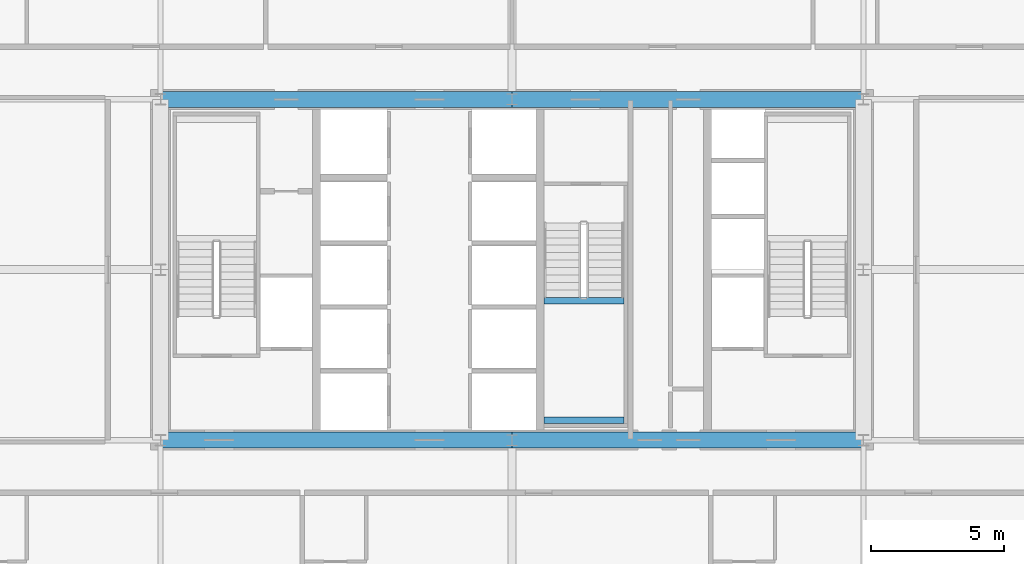
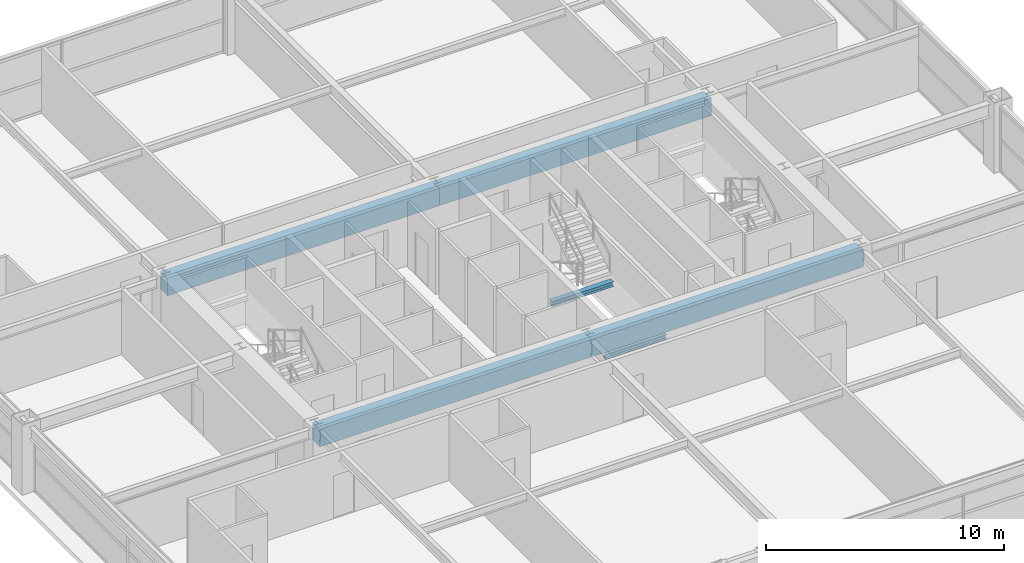
# One storey, part 13 of 43: 6 beams.
"""IFC4 building model written with IfcOpenShell, lengths in metres."""

from ifc_helpers import new_model, si_unit, direction, frame, origin, origin_2d, place, context, subcontext, project, spatial, rectangle, i_section, extrude, source, transform, mapped, material, material_profile, profile_set, type_object, element, save


model = new_model("IFC4")

# Units and contexts
model_context = context("Model", 3, precision=1e-05, world=origin(), true_north=direction((0.0, 1.0)))
body_context = subcontext(model_context, "Body", "Model", "MODEL_VIEW")
ifc_project = project(units=[si_unit("LENGTHUNIT", "METRE"), si_unit("AREAUNIT", "SQUARE_METRE"), si_unit("VOLUMEUNIT", "CUBIC_METRE"), si_unit("PLANEANGLEUNIT", "RADIAN"), si_unit("MASSUNIT", "GRAM", prefix="KILO"), si_unit("THERMODYNAMICTEMPERATUREUNIT", "KELVIN"), si_unit("POWERUNIT", "WATT")], contexts=[model_context])

# Site, building, storey
site_placement = place(None, origin())
site = spatial("IfcSite", under=ifc_project, at=site_placement, CompositionType="ELEMENT")
building_placement = place(site_placement, origin())
building = spatial("IfcBuilding", under=site, at=building_placement, Name="Yuzanri Waterfront Tower", CompositionType="ELEMENT")
storey_placement = place(building_placement, frame((0.0, 0.0, 108.199951171875)))
storey = spatial("IfcBuildingStorey", under=building, at=storey_placement, Name="L28", CompositionType="ELEMENT", Elevation=108.199951171875)

# Beams
ifc_material_1 = material(Name="Concrete C60", Category="concrete")
ifc_material_profile_1 = material_profile(ifc_material_1, rectangle(XDim=0.60009765625, YDim=0.89990234375, at=origin_2d()), Name="RC 600x900")
ifc_profile_set_1 = profile_set([ifc_material_profile_1], Name="Concrete C60")
beam_type_1 = type_object("IfcBeamType", Name="Core Coupling Lintel Concrete C60 600x900", PredefinedType="LINTEL", material=ifc_profile_set_1)
shared_shape_1 = source(origin(), body_context, "Body", "SweptSolid", [
    extrude(rectangle(XDim=0.60009765625, YDim=0.89990234375, at=origin_2d()), origin(), (0.0, 0.0, 1.0), 13.199951171875),
])
for number, where, z_axis, x_axis, name in (
    (1, (23.800048828125, 19.39990234375, 2.929931640625), (1.0, 0.0, 0.0), (0.0, 1.0, 0.0), "L28 Core Tie Beam CS1"),
    (2, (37.0, 19.39990234375, 2.929931640625), (1.0, 0.0, 0.0), (0.0, 1.0, 0.0), "L28 Core Tie Beam CS2"),
    (3, (23.800048828125, 32.199951171875, 2.929931640625), (1.0, 0.0, 0.0), (0.0, 1.0, 0.0), "L28 Core Tie Beam CN1"),
    (4, (37.0, 32.199951171875, 2.929931640625), (1.0, 0.0, 0.0), (0.0, 1.0, 0.0), "L28 Core Tie Beam CN2"),
):
    element("IfcBeam", number, at=place(storey_placement, frame(where, z_axis=z_axis, x_axis=x_axis)), inside=storey, type_object=beam_type_1, Name=name, PredefinedType="LINTEL", context=body_context, shape_type="MappedRepresentation", body=[
        mapped(shared_shape_1, transform((0.0, 0.0, 0.0), scale=1.0)),
    ])
ifc_material_2 = material(Name="Steel Q355B", Category="steel")
ifc_material_profile_2 = material_profile(ifc_material_2, i_section(OverallWidth=0.25, OverallDepth=0.25, WebThickness=0.009033203125, FlangeThickness=0.013916015625, at=origin_2d()), Name="HW 250x250x9x14")
ifc_profile_set_2 = profile_set([ifc_material_profile_2], Name="Steel Q355B")
beam_type_2 = type_object("IfcBeamType", Name="Stair Landing Support Beam Q355B HW 250x250", PredefinedType="BEAM", material=ifc_profile_set_2)
shared_shape_2 = source(origin(), body_context, "Body", "SweptSolid", [
    extrude(i_section(OverallWidth=0.25, OverallDepth=0.25, WebThickness=0.009033203125, FlangeThickness=0.013916015625, at=origin_2d()), origin(), (0.0, 0.0, 1.0), 3.0),
])
for number, where, z_axis, x_axis, name in (
    (5, (38.199951171875, 20.14990234375, 1.47509765625), (1.0, 0.0, 0.0), (0.0, 1.0, 0.0), "L28 Stair Landing Support Beam ST-03-L28-L1-1"),
    (6, (38.199951171875, 24.6298828125, 1.47509765625), (1.0, 0.0, 0.0), (0.0, 1.0, 0.0), "L28 Stair Landing Support Beam ST-03-L28-L1-2"),
):
    element("IfcBeam", number, at=place(storey_placement, frame(where, z_axis=z_axis, x_axis=x_axis)), inside=storey, type_object=beam_type_2, Name=name, PredefinedType="BEAM", context=body_context, shape_type="MappedRepresentation", body=[
        mapped(shared_shape_2, transform((0.0, 0.0, 0.0), scale=1.0)),
    ])

save(model, "model.ifc")
